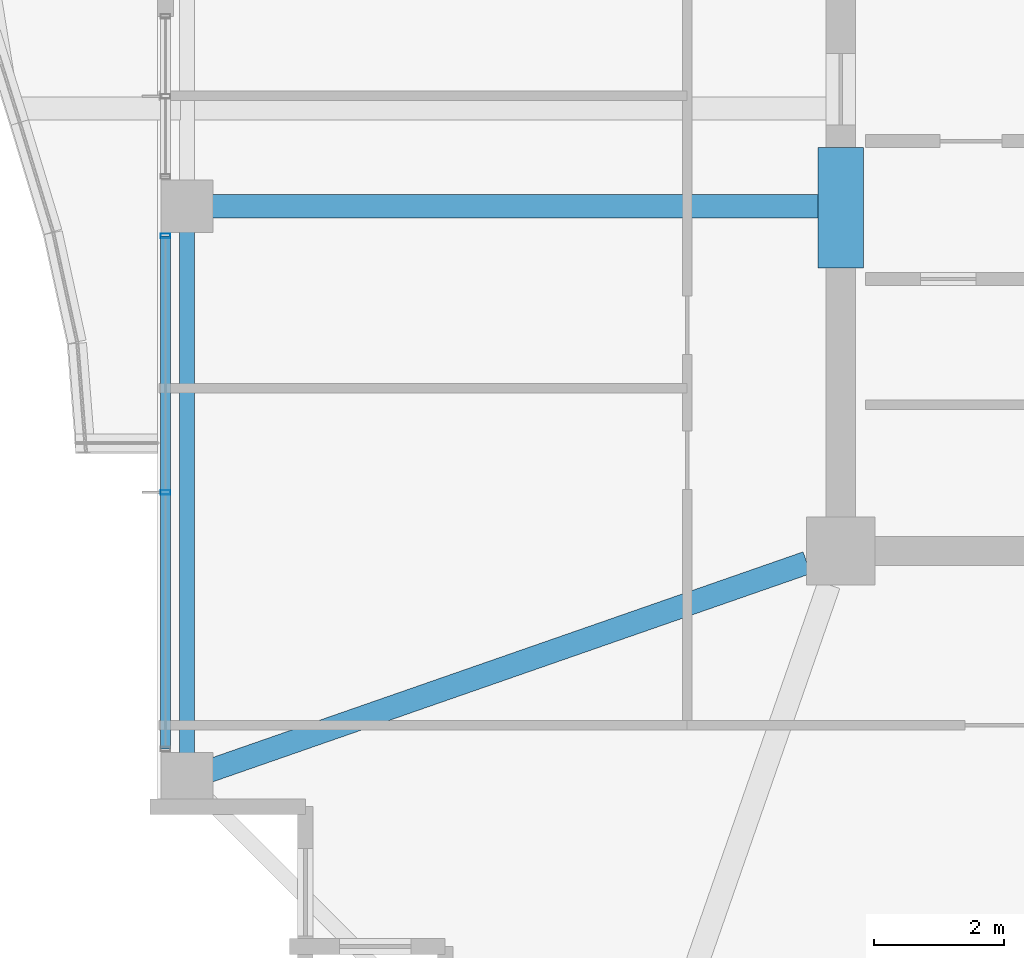
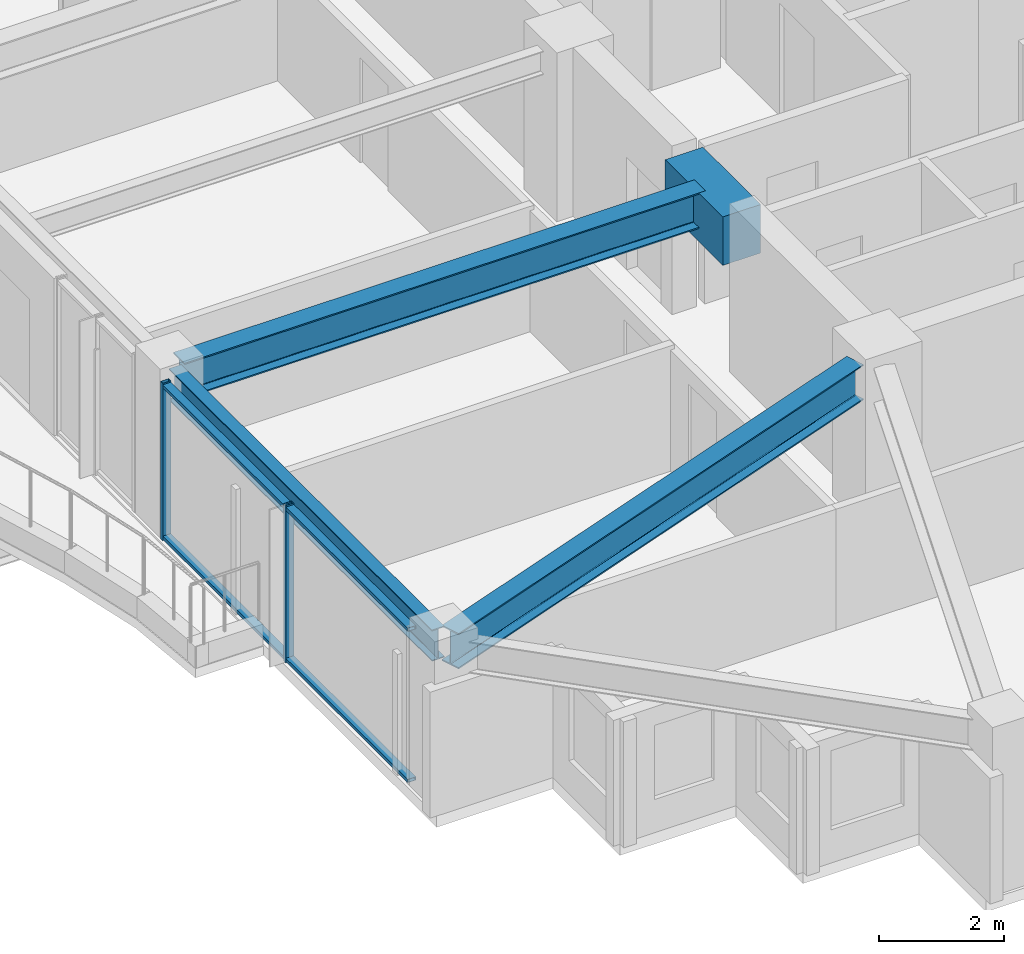
# One storey, part 4 of 34: 4 beams, 4 members, 1 element without a shape of its own.
"""IFC4 building model written with IfcOpenShell, lengths in metres."""

from ifc_helpers import new_model, si_unit, direction, frame, origin, origin_2d, place, context, subcontext, project, spatial, rectangle, hollow_rectangle, i_section, extrude, material, material_profile, profile_set, type_object, element, aggregate, save


model = new_model("IFC4")

# Units and contexts
model_context = context("Model", 3, precision=1e-05, world=origin(), true_north=direction((0.0, 1.0)))
body_context = subcontext(model_context, "Body", "Model", "MODEL_VIEW")
ifc_project = project(units=[si_unit("LENGTHUNIT", "METRE"), si_unit("AREAUNIT", "SQUARE_METRE"), si_unit("VOLUMEUNIT", "CUBIC_METRE"), si_unit("PLANEANGLEUNIT", "RADIAN"), si_unit("MASSUNIT", "GRAM", prefix="KILO")], contexts=[model_context])

# Site, building, storey
site_placement = place(None, origin())
site = spatial("IfcSite", under=ifc_project, at=site_placement, CompositionType="ELEMENT")
building_placement = place(site_placement, origin())
building = spatial("IfcBuilding", under=site, at=building_placement, Name="Kolvaren Belvedere", CompositionType="ELEMENT")
storey_placement = place(building_placement, frame((0.0, 0.0, 222.89990234375)))
storey = spatial("IfcBuildingStorey", under=building, at=storey_placement, Name="L65", CompositionType="ELEMENT", Elevation=222.89990234375)

# Beams
ifc_material_1 = material(Name="Structural steel ASTM A992 Grade 50", Category="steel")
ifc_material_profile_1 = material_profile(ifc_material_1, i_section(OverallWidth=0.35498046875, OverallDepth=0.696044921875, WebThickness=0.015380859375, FlangeThickness=0.02490234375, FilletRadius=0.02197265625, at=origin_2d()), Name="W27X146")
ifc_profile_set_1 = profile_set([ifc_material_profile_1], Name="Structural steel ASTM A992 Grade 50")
beam_type_1 = type_object("IfcBeamType", Name="BM-GIRD-W27X146", PredefinedType="BEAM", material=ifc_profile_set_1)
beam_1_placement = place(storey_placement, frame((-10.125, -4.60009765625, 2.732177734375), z_axis=(-1.0, 0.0, 0.0), x_axis=(0.0, -1.0, 0.0)))
element("IfcBeam", 1, at=beam_1_placement, inside=storey, type_object=beam_type_1, Name="L65 West Radial Girder M", PredefinedType="BEAM", context=body_context, shape_type="SweptSolid", body=[
    extrude(i_section(OverallWidth=0.35498046875, OverallDepth=0.696044921875, WebThickness=0.015380859375, FlangeThickness=0.02490234375, FilletRadius=0.02197265625, at=origin_2d()), origin(), (0.0, 0.0, 1.0), 9.64501953125),
])
beam_2_placement = place(storey_placement, frame((-10.41943359375, -10.080810546875, 2.732177734375), z_axis=(-0.944365399758, -0.328898147971, 0.0), x_axis=(0.328898147971, -0.944365399758, 0.0)))
element("IfcBeam", 2, at=beam_2_placement, inside=storey, type_object=beam_type_1, Name="L65 Corner Core-to-Perimeter Girder CC1-W1", PredefinedType="BEAM", context=body_context, shape_type="SweptSolid", body=[
    extrude(i_section(OverallWidth=0.35498046875, OverallDepth=0.696044921875, WebThickness=0.015380859375, FlangeThickness=0.02490234375, FilletRadius=0.02197265625, at=origin_2d()), origin(), (0.0, 0.0, 1.0), 9.931884765625),
])
ifc_material_2 = material(Name="Concrete C60/75", Category="concrete")
ifc_material_profile_2 = material_profile(ifc_material_2, rectangle(XDim=0.699951171875, YDim=0.949951171875, at=origin_2d()), Name="RC 700X950")
ifc_profile_set_2 = profile_set([ifc_material_profile_2], Name="Concrete C60/75")
beam_type_2 = type_object("IfcBeamType", Name="BM-LINT-950", PredefinedType="LINTEL", material=ifc_profile_set_2)
beam_3_placement = place(storey_placement, frame((-9.89990234375, -5.550048828125, 2.60498046875), z_axis=(0.0, 1.0, 0.0), x_axis=(-1.0, 0.0, 0.0)))
element("IfcBeam", 3, at=beam_3_placement, inside=storey, type_object=beam_type_2, Name="L65 West Core Coupling Lintel", PredefinedType="LINTEL", context=body_context, shape_type="SweptSolid", body=[
    extrude(rectangle(XDim=0.699951171875, YDim=0.949951171875, at=origin_2d()), origin(), (0.0, 0.0, 1.0), 1.85009765625),
])
ifc_material_3 = material(Name="Structural steel ASTM A992 Grade 50", Category="steel")
ifc_material_profile_3 = material_profile(ifc_material_3, i_section(OverallWidth=0.22900390625, OverallDepth=0.612060546875, WebThickness=0.011962890625, FlangeThickness=0.01953125, FilletRadius=0.01806640625, at=origin_2d()), Name="W24X84")
ifc_profile_set_3 = profile_set([ifc_material_profile_3], Name="Structural steel ASTM A992 Grade 50")
beam_type_3 = type_object("IfcBeamType", Name="BM-SPAN-W24X84", PredefinedType="SPANDREL", material=ifc_profile_set_3)
beam_4_placement = place(storey_placement, frame((-19.949951171875, -4.780029296875, 2.774169921875), z_axis=(0.0, -1.0, 0.0), x_axis=(1.0, 0.0, 0.0)))
element("IfcBeam", 4, at=beam_4_placement, inside=storey, type_object=beam_type_3, Name="L65 Perimeter Spandrel W2-W1", PredefinedType="SPANDREL", context=body_context, shape_type="SweptSolid", body=[
    extrude(i_section(OverallWidth=0.22900390625, OverallDepth=0.612060546875, WebThickness=0.011962890625, FlangeThickness=0.01953125, FilletRadius=0.01806640625, at=origin_2d()), origin(), (0.0, 0.0, 1.0), 8.43994140625),
])

# Curtain wall, members
ifc_material_4 = material(Name="Anodised pale-metal aluminium AA 6063-T6", Category="aluminium")
curtain_wall_type = type_object("IfcCurtainWallType", Name="CW-Z5-HIGH", PredefinedType="NOTDEFINED", material=ifc_material_4)
curtain_wall_placement = place(storey_placement, origin())
curtain_wall = element("IfcCurtainWall", 5, at=curtain_wall_placement, inside=storey, type_object=curtain_wall_type, Name="L65 Unitised Curtain Wall FCW-L65-W1-B1", PredefinedType="NOTDEFINED")
ifc_material_5 = material(Name="Anodised pale-metal aluminium AA 6063-T6", Category="aluminium")
ifc_material_profile_4 = material_profile(ifc_material_5, hollow_rectangle(XDim=0.070068359375, YDim=0.14990234375, WallThickness=0.004150390625, at=origin_2d()), Name="ALU-MUL-150X70")
ifc_profile_set_4 = profile_set([ifc_material_profile_4], Name="Anodised pale-metal aluminium AA 6063-T6")
member_type_1 = type_object("IfcMemberType", Name="CW-MUL-150", PredefinedType="MULLION", material=ifc_profile_set_4)
member_1_placement = place(storey_placement, frame((-20.280029296875, -9.0, 0.0), z_axis=(0.0, 0.0, 1.0), x_axis=(0.0, 1.0, 0.0)))
member_1 = element("IfcMember", 6, at=member_1_placement, type_object=member_type_1, Name="FCW-L65-W1-B1 Unitised Mullion 2", PredefinedType="MULLION", context=body_context, shape_type="SweptSolid", body=[
    extrude(hollow_rectangle(XDim=0.070068359375, YDim=0.14990234375, WallThickness=0.004150390625, at=origin_2d()), origin(), (0.0, 0.0, 1.0), 3.080078125),
])
member_2_placement = place(storey_placement, frame((-20.280029296875, -5.054931640625, 0.0), z_axis=(0.0, 0.0, 1.0), x_axis=(0.0, 1.0, 0.0)))
member_2 = element("IfcMember", 7, at=member_2_placement, type_object=member_type_1, Name="FCW-L65-W1-B1 Unitised Mullion 3", PredefinedType="MULLION", context=body_context, shape_type="SweptSolid", body=[
    extrude(hollow_rectangle(XDim=0.070068359375, YDim=0.14990234375, WallThickness=0.004150390625, at=origin_2d()), origin(), (0.0, 0.0, 1.0), 3.080078125),
])
ifc_material_6 = material(Name="Anodised pale-metal aluminium AA 6063-T6", Category="aluminium")
ifc_material_profile_5 = material_profile(ifc_material_6, hollow_rectangle(XDim=0.06494140625, YDim=0.14990234375, WallThickness=0.00390625, at=origin_2d()), Name="ALU-TRN-150X65")
ifc_profile_set_5 = profile_set([ifc_material_profile_5], Name="Anodised pale-metal aluminium AA 6063-T6")
member_type_2 = type_object("IfcMemberType", Name="CW-TRN-150", PredefinedType="USERDEFINED", material=ifc_profile_set_5)
member_3_placement = place(storey_placement, frame((-20.280029296875, -12.945068359375, 0.06005859375), z_axis=(0.0, 1.0, 0.0), x_axis=(0.0, 0.0, 1.0)))
member_3 = element("IfcMember", 8, at=member_3_placement, type_object=member_type_2, Name="FCW-L65-W1-B1 Sill Transom", ObjectType="TRANSOM", PredefinedType="USERDEFINED", context=body_context, shape_type="SweptSolid", body=[
    extrude(hollow_rectangle(XDim=0.06494140625, YDim=0.14990234375, WallThickness=0.00390625, at=origin_2d()), origin(), (0.0, 0.0, 1.0), 7.89013671875),
])
member_4_placement = place(storey_placement, frame((-20.280029296875, -12.945068359375, 3.02001953125), z_axis=(0.0, 1.0, 0.0), x_axis=(0.0, 0.0, 1.0)))
member_4 = element("IfcMember", 9, at=member_4_placement, type_object=member_type_2, Name="FCW-L65-W1-B1 Head Transom", ObjectType="TRANSOM", PredefinedType="USERDEFINED", context=body_context, shape_type="SweptSolid", body=[
    extrude(hollow_rectangle(XDim=0.06494140625, YDim=0.14990234375, WallThickness=0.00390625, at=origin_2d()), origin(), (0.0, 0.0, 1.0), 7.89013671875),
])
aggregate(curtain_wall, [member_1, member_2, member_3, member_4])

save(model, "model.ifc")
